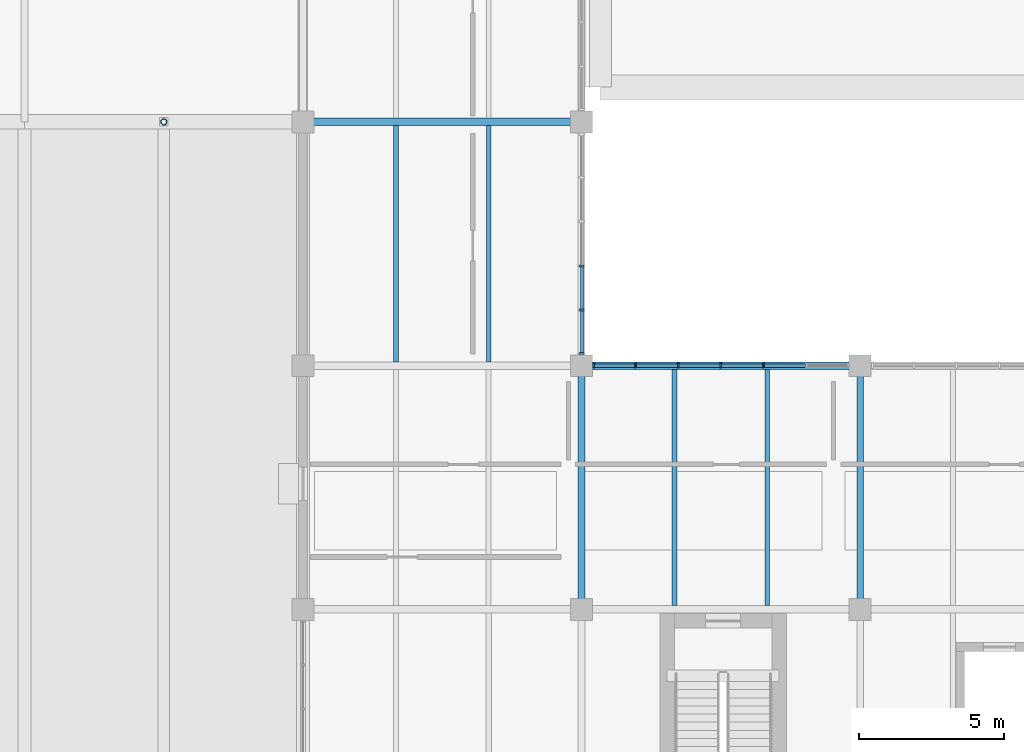
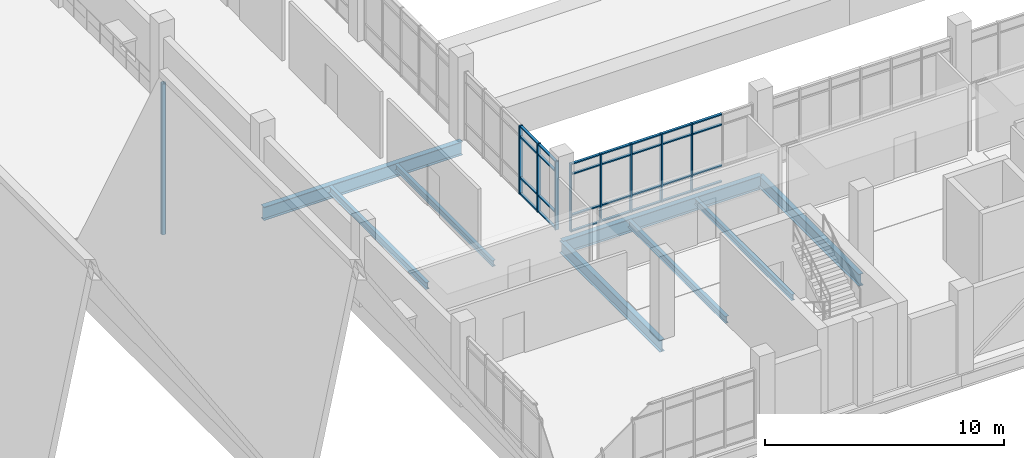
# One storey, part 17 of 86: 37 members, 8 beams, 3 elements without a shape of their own.
"""IFC4 building model written with IfcOpenShell, lengths in metres."""

from ifc_helpers import new_model, si_unit, direction, frame, origin, origin_2d, place, context, subcontext, project, spatial, rectangle, hollow_circle, i_section, extrude, material, material_profile, profile_set, type_object, element, aggregate, save


model = new_model("IFC4")

# Units and contexts
model_context = context("Model", 3, precision=1e-05, world=origin(), true_north=direction((0.0, 1.0)))
body_context = subcontext(model_context, "Body", "Model", "MODEL_VIEW")
ifc_project = project(units=[si_unit("LENGTHUNIT", "METRE"), si_unit("AREAUNIT", "SQUARE_METRE"), si_unit("VOLUMEUNIT", "CUBIC_METRE"), si_unit("PLANEANGLEUNIT", "RADIAN"), si_unit("MASSUNIT", "GRAM", prefix="KILO")], contexts=[model_context])

# Site, building, storey
site_placement = place(None, origin())
site = spatial("IfcSite", under=ifc_project, at=site_placement, CompositionType="ELEMENT")
building_placement = place(site_placement, origin())
building = spatial("IfcBuilding", under=site, at=building_placement, Name="Oolite Switchyard Hospital", CompositionType="ELEMENT")
storey_placement = place(building_placement, frame((0.0, 0.0, 13.5)))
storey = spatial("IfcBuildingStorey", under=building, at=storey_placement, Name="L03", CompositionType="ELEMENT", Elevation=13.5)

# Beams
ifc_material_1 = material(Name="Steel ASTM A992 Grade 50", Category="steel")
ifc_material_profile_1 = material_profile(ifc_material_1, i_section(OverallWidth=0.1650390625, OverallDepth=0.31005859375, WebThickness=0.006103515625, FlangeThickness=0.010009765625, at=origin_2d()), Name="W12X26")
ifc_profile_set_1 = profile_set([ifc_material_profile_1], Name="Steel ASTM A992 Grade 50")
beam_type_1 = type_object("IfcBeamType", Name="BM-W12X26", PredefinedType="JOIST", material=ifc_profile_set_1)
for number, where, z_axis, x_axis, name in (
    (1, (140.800048828125, 25.326904296875, -0.429931640625), (0.0, 1.0, 0.0), (-1.0, 0.0, 0.0), "L03 Secondary Steel Joist 2593"),
    (2, (150.39990234375, 16.927001953125, -0.429931640625), (0.0, 1.0, 0.0), (-1.0, 0.0, 0.0), "L03 Secondary Steel Joist 2619"),
):
    element("IfcBeam", number, at=place(storey_placement, frame(where, z_axis=z_axis, x_axis=x_axis)), inside=storey, type_object=beam_type_1, Name=name, PredefinedType="JOIST", context=body_context, shape_type="SweptSolid", body=[
        extrude(i_section(OverallWidth=0.1650390625, OverallDepth=0.31005859375, WebThickness=0.006103515625, FlangeThickness=0.010009765625, at=origin_2d()), origin(), (0.0, 0.0, 1.0), 8.14599609375),
    ])
ifc_material_profile_2 = material_profile(ifc_material_1, i_section(OverallWidth=0.1708984375, OverallDepth=0.35107421875, WebThickness=0.007080078125, FlangeThickness=0.010009765625, at=origin_2d()), Name="W14X30")
ifc_profile_set_2 = profile_set([ifc_material_profile_2], Name="Steel ASTM A992 Grade 50")
beam_type_2 = type_object("IfcBeamType", Name="BM-W14X30", PredefinedType="JOIST", material=ifc_profile_set_2)
for number, where, z_axis, x_axis, name in (
    (3, (137.60009765625, 25.326904296875, -0.449951171875), (0.0, 1.0, 0.0), (-1.0, 0.0, 0.0), "L03 Secondary Steel Joist 2592"),
    (4, (147.199951171875, 16.927001953125, -0.449951171875), (0.0, 1.0, 0.0), (-1.0, 0.0, 0.0), "L03 Secondary Steel Joist 2618"),
):
    element("IfcBeam", number, at=place(storey_placement, frame(where, z_axis=z_axis, x_axis=x_axis)), inside=storey, type_object=beam_type_2, Name=name, PredefinedType="JOIST", context=body_context, shape_type="SweptSolid", body=[
        extrude(i_section(OverallWidth=0.1708984375, OverallDepth=0.35107421875, WebThickness=0.007080078125, FlangeThickness=0.010009765625, at=origin_2d()), origin(), (0.0, 0.0, 1.0), 8.14599609375),
    ])
ifc_material_profile_3 = material_profile(ifc_material_1, i_section(OverallWidth=0.22900390625, OverallDepth=0.612060546875, WebThickness=0.011962890625, FlangeThickness=0.02001953125, at=origin_2d()), Name="W24X84")
ifc_profile_set_3 = profile_set([ifc_material_profile_3], Name="Steel ASTM A992 Grade 50")
beam_type_3 = type_object("IfcBeamType", Name="BM-W24X84", PredefinedType="BEAM", material=ifc_profile_set_3)
for number, where, z_axis, x_axis, name in (
    (5, (144.0, 16.800048828125, -0.5810546875), (0.0, 1.0, 0.0), (-1.0, 0.0, 0.0), "L03 Y-Girder 2296"),
    (6, (153.60009765625, 16.800048828125, -0.5810546875), (0.0, 1.0, 0.0), (-1.0, 0.0, 0.0), "L03 Y-Girder 2313"),
):
    element("IfcBeam", number, at=place(storey_placement, frame(where, z_axis=z_axis, x_axis=x_axis)), inside=storey, type_object=beam_type_3, Name=name, PredefinedType="BEAM", context=body_context, shape_type="SweptSolid", body=[
        extrude(i_section(OverallWidth=0.22900390625, OverallDepth=0.612060546875, WebThickness=0.011962890625, FlangeThickness=0.02001953125, at=origin_2d()), origin(), (0.0, 0.0, 1.0), 8.39990234375),
    ])
ifc_material_profile_4 = material_profile(ifc_material_1, i_section(OverallWidth=0.25390625, OverallDepth=0.68408203125, WebThickness=0.011962890625, FlangeThickness=0.01904296875, at=origin_2d()), Name="W27X94")
ifc_profile_set_4 = profile_set([ifc_material_profile_4], Name="Steel ASTM A992 Grade 50")
beam_type_4 = type_object("IfcBeamType", Name="BM-W27X94", PredefinedType="BEAM", material=ifc_profile_set_4)
for number, where, z_axis, x_axis, name in (
    (7, (144.0, 25.199951171875, -0.616943359375), (1.0, 0.0, 0.0), (0.0, 1.0, 0.0), "L03 X-Girder 1942"),
    (8, (134.39990234375, 33.60009765625, -0.616943359375), (1.0, 0.0, 0.0), (0.0, 1.0, 0.0), "L03 X-Girder 1955"),
):
    element("IfcBeam", number, at=place(storey_placement, frame(where, z_axis=z_axis, x_axis=x_axis)), inside=storey, type_object=beam_type_4, Name=name, PredefinedType="BEAM", context=body_context, shape_type="SweptSolid", body=[
        extrude(i_section(OverallWidth=0.25390625, OverallDepth=0.68408203125, WebThickness=0.011962890625, FlangeThickness=0.01904296875, at=origin_2d()), origin(), (0.0, 0.0, 1.0), 9.60009765625),
    ])

# Curtain wall, members
ifc_material_2 = material(Name="Thermally broken aluminum frame with laminated impact glazing", Category="aluminium")
curtain_wall_type_1 = type_object("IfcCurtainWallType", Name="CW-UNIT-96X43", PredefinedType="USERDEFINED", material=ifc_material_2)
curtain_wall_1_placement = place(storey_placement, origin())
curtain_wall_1 = element("IfcCurtainWall", 9, at=curtain_wall_1_placement, inside=storey, type_object=curtain_wall_type_1, Name="L03 Unitised Curtain Wall 330", ObjectType="UNITISED", PredefinedType="USERDEFINED")
ifc_material_3 = material(Name="Aluminium 6063-T6", Category="aluminium")
ifc_material_profile_5 = material_profile(ifc_material_3, rectangle(XDim=0.159912109375, YDim=0.06005859375, at=origin_2d()), Name="CWM60X160")
ifc_profile_set_5 = profile_set([ifc_material_profile_5], Name="Aluminium 6063-T6")
member_type_1 = type_object("IfcMemberType", Name="CW-MUL-180", PredefinedType="MULLION", material=ifc_profile_set_5)
member_1_placement = place(storey_placement, frame((144.419921875, 25.199951171875, 0.0), z_axis=(0.0, 0.0, 1.0), x_axis=(0.0, 1.0, 0.0)))
member_1 = element("IfcMember", 10, at=member_1_placement, type_object=member_type_1, Name="CW-04 mullion 1", PredefinedType="MULLION", context=body_context, shape_type="SweptSolid", body=[
    extrude(rectangle(XDim=0.159912109375, YDim=0.06005859375, at=origin_2d()), origin(), (0.0, 0.0, 1.0), 3.489990234375),
])
member_2_placement = place(storey_placement, frame((145.860107421875, 25.199951171875, 0.0), z_axis=(0.0, 0.0, 1.0), x_axis=(0.0, 1.0, 0.0)))
member_2 = element("IfcMember", 11, at=member_2_placement, type_object=member_type_1, Name="CW-04 mullion 2", PredefinedType="MULLION", context=body_context, shape_type="SweptSolid", body=[
    extrude(rectangle(XDim=0.159912109375, YDim=0.06005859375, at=origin_2d()), origin(), (0.0, 0.0, 1.0), 3.489990234375),
])
member_3_placement = place(storey_placement, frame((147.330078125, 25.199951171875, 0.0), z_axis=(0.0, 0.0, 1.0), x_axis=(0.0, 1.0, 0.0)))
member_3 = element("IfcMember", 12, at=member_3_placement, type_object=member_type_1, Name="CW-04 mullion 3", PredefinedType="MULLION", context=body_context, shape_type="SweptSolid", body=[
    extrude(rectangle(XDim=0.159912109375, YDim=0.06005859375, at=origin_2d()), origin(), (0.0, 0.0, 1.0), 3.489990234375),
])
member_4_placement = place(storey_placement, frame((148.800048828125, 25.199951171875, 0.0), z_axis=(0.0, 0.0, 1.0), x_axis=(0.0, 1.0, 0.0)))
member_4 = element("IfcMember", 13, at=member_4_placement, type_object=member_type_1, Name="CW-04 mullion 4", PredefinedType="MULLION", context=body_context, shape_type="SweptSolid", body=[
    extrude(rectangle(XDim=0.159912109375, YDim=0.06005859375, at=origin_2d()), origin(), (0.0, 0.0, 1.0), 3.489990234375),
])
member_5_placement = place(storey_placement, frame((150.27001953125, 25.199951171875, 0.0), z_axis=(0.0, 0.0, 1.0), x_axis=(0.0, 1.0, 0.0)))
member_5 = element("IfcMember", 14, at=member_5_placement, type_object=member_type_1, Name="CW-04 mullion 5", PredefinedType="MULLION", context=body_context, shape_type="SweptSolid", body=[
    extrude(rectangle(XDim=0.159912109375, YDim=0.06005859375, at=origin_2d()), origin(), (0.0, 0.0, 1.0), 3.489990234375),
])

curtain_wall_type_2 = type_object("IfcCurtainWallType", Name="CW-UNIT-84X43", PredefinedType="USERDEFINED", material=ifc_material_2)
curtain_wall_2_placement = place(storey_placement, origin())
curtain_wall_2 = element("IfcCurtainWall", 15, at=curtain_wall_2_placement, inside=storey, type_object=curtain_wall_type_2, Name="L03 Unitised Curtain Wall 340", ObjectType="UNITISED", PredefinedType="USERDEFINED")
ifc_material_profile_6 = material_profile(ifc_material_3, rectangle(XDim=0.179931640625, YDim=0.070068359375, at=origin_2d()), Name="CWM70X180")
ifc_profile_set_6 = profile_set([ifc_material_profile_6], Name="Aluminium 6063-T6")
member_type_2 = type_object("IfcMemberType", Name="CW-MUL-220", PredefinedType="MULLION", material=ifc_profile_set_6)
member_6_placement = place(storey_placement, frame((144.0, 28.637939453125, 0.0), z_axis=(0.0, 0.0, 1.0), x_axis=(1.0, 0.0, 0.0)))
member_6 = element("IfcMember", 16, at=member_6_placement, type_object=member_type_2, Name="CW-09 mullion 4", PredefinedType="MULLION", context=body_context, shape_type="SweptSolid", body=[
    extrude(rectangle(XDim=0.179931640625, YDim=0.070068359375, at=origin_2d()), origin(), (0.0, 0.0, 1.0), 3.489990234375),
])
member_7_placement = place(storey_placement, frame((144.0, 27.114013671875, 0.0), z_axis=(0.0, 0.0, 1.0), x_axis=(1.0, 0.0, 0.0)))
member_7 = element("IfcMember", 17, at=member_7_placement, type_object=member_type_2, Name="CW-09 mullion 5", PredefinedType="MULLION", context=body_context, shape_type="SweptSolid", body=[
    extrude(rectangle(XDim=0.179931640625, YDim=0.070068359375, at=origin_2d()), origin(), (0.0, 0.0, 1.0), 3.489990234375),
])
member_8_placement = place(storey_placement, frame((144.0, 25.625, 0.0), z_axis=(0.0, 0.0, 1.0), x_axis=(1.0, 0.0, 0.0)))
member_8 = element("IfcMember", 18, at=member_8_placement, type_object=member_type_2, Name="CW-09 mullion 6", PredefinedType="MULLION", context=body_context, shape_type="SweptSolid", body=[
    extrude(rectangle(XDim=0.179931640625, YDim=0.070068359375, at=origin_2d()), origin(), (0.0, 0.0, 1.0), 3.489990234375),
])

# Member
ifc_material_profile_7 = material_profile(ifc_material_3, rectangle(XDim=0.1201171875, YDim=0.06005859375, at=origin_2d()), Name="CWT60X120")
ifc_profile_set_7 = profile_set([ifc_material_profile_7], Name="Aluminium 6063-T6")
member_type_3 = type_object("IfcMemberType", Name="CW-TRN-150", PredefinedType="USERDEFINED", material=ifc_profile_set_7)
member_9_placement = place(storey_placement, frame((144.449951171875, 25.199951171875, 0.030029296875), z_axis=(1.0, 0.0, 0.0), x_axis=(0.0, 1.0, 0.0)))
member_9 = element("IfcMember", 19, at=member_9_placement, type_object=member_type_3, Name="CW-04 transom 1.1", ObjectType="TRANSOM", PredefinedType="USERDEFINED", context=body_context, shape_type="SweptSolid", body=[
    extrude(rectangle(XDim=0.1201171875, YDim=0.06005859375, at=origin_2d()), origin(), (0.0, 0.0, 1.0), 1.380126953125),
])

member_10_placement = place(storey_placement, frame((144.449951171875, 25.199951171875, 0.85009765625), z_axis=(1.0, 0.0, 0.0), x_axis=(0.0, 1.0, 0.0)))
member_10 = element("IfcMember", 20, at=member_10_placement, type_object=member_type_3, Name="CW-04 transom 1.2", ObjectType="TRANSOM", PredefinedType="USERDEFINED", context=body_context, shape_type="SweptSolid", body=[
    extrude(rectangle(XDim=0.1201171875, YDim=0.06005859375, at=origin_2d()), origin(), (0.0, 0.0, 1.0), 1.380126953125),
])

member_11_placement = place(storey_placement, frame((144.449951171875, 25.199951171875, 2.93994140625), z_axis=(1.0, 0.0, 0.0), x_axis=(0.0, 1.0, 0.0)))
member_11 = element("IfcMember", 21, at=member_11_placement, type_object=member_type_3, Name="CW-04 transom 1.3", ObjectType="TRANSOM", PredefinedType="USERDEFINED", context=body_context, shape_type="SweptSolid", body=[
    extrude(rectangle(XDim=0.1201171875, YDim=0.06005859375, at=origin_2d()), origin(), (0.0, 0.0, 1.0), 1.380126953125),
])

member_12_placement = place(storey_placement, frame((144.449951171875, 25.199951171875, 3.4599609375), z_axis=(1.0, 0.0, 0.0), x_axis=(0.0, 1.0, 0.0)))
member_12 = element("IfcMember", 22, at=member_12_placement, type_object=member_type_3, Name="CW-04 transom 1.4", ObjectType="TRANSOM", PredefinedType="USERDEFINED", context=body_context, shape_type="SweptSolid", body=[
    extrude(rectangle(XDim=0.1201171875, YDim=0.06005859375, at=origin_2d()), origin(), (0.0, 0.0, 1.0), 1.380126953125),
])

member_13_placement = place(storey_placement, frame((145.889892578125, 25.199951171875, 0.030029296875), z_axis=(1.0, 0.0, 0.0), x_axis=(0.0, 1.0, 0.0)))
member_13 = element("IfcMember", 23, at=member_13_placement, type_object=member_type_3, Name="CW-04 transom 2.1", ObjectType="TRANSOM", PredefinedType="USERDEFINED", context=body_context, shape_type="SweptSolid", body=[
    extrude(rectangle(XDim=0.1201171875, YDim=0.06005859375, at=origin_2d()), origin(), (0.0, 0.0, 1.0), 1.41015625),
])

member_14_placement = place(storey_placement, frame((145.889892578125, 25.199951171875, 0.85009765625), z_axis=(1.0, 0.0, 0.0), x_axis=(0.0, 1.0, 0.0)))
member_14 = element("IfcMember", 24, at=member_14_placement, type_object=member_type_3, Name="CW-04 transom 2.2", ObjectType="TRANSOM", PredefinedType="USERDEFINED", context=body_context, shape_type="SweptSolid", body=[
    extrude(rectangle(XDim=0.1201171875, YDim=0.06005859375, at=origin_2d()), origin(), (0.0, 0.0, 1.0), 1.41015625),
])

member_15_placement = place(storey_placement, frame((145.889892578125, 25.199951171875, 2.93994140625), z_axis=(1.0, 0.0, 0.0), x_axis=(0.0, 1.0, 0.0)))
member_15 = element("IfcMember", 25, at=member_15_placement, type_object=member_type_3, Name="CW-04 transom 2.3", ObjectType="TRANSOM", PredefinedType="USERDEFINED", context=body_context, shape_type="SweptSolid", body=[
    extrude(rectangle(XDim=0.1201171875, YDim=0.06005859375, at=origin_2d()), origin(), (0.0, 0.0, 1.0), 1.41015625),
])

member_16_placement = place(storey_placement, frame((145.889892578125, 25.199951171875, 3.4599609375), z_axis=(1.0, 0.0, 0.0), x_axis=(0.0, 1.0, 0.0)))
member_16 = element("IfcMember", 26, at=member_16_placement, type_object=member_type_3, Name="CW-04 transom 2.4", ObjectType="TRANSOM", PredefinedType="USERDEFINED", context=body_context, shape_type="SweptSolid", body=[
    extrude(rectangle(XDim=0.1201171875, YDim=0.06005859375, at=origin_2d()), origin(), (0.0, 0.0, 1.0), 1.41015625),
])

member_17_placement = place(storey_placement, frame((147.360107421875, 25.199951171875, 0.030029296875), z_axis=(1.0, 0.0, 0.0), x_axis=(0.0, 1.0, 0.0)))
member_17 = element("IfcMember", 27, at=member_17_placement, type_object=member_type_3, Name="CW-04 transom 3.1", ObjectType="TRANSOM", PredefinedType="USERDEFINED", context=body_context, shape_type="SweptSolid", body=[
    extrude(rectangle(XDim=0.1201171875, YDim=0.06005859375, at=origin_2d()), origin(), (0.0, 0.0, 1.0), 1.409912109375),
])

member_18_placement = place(storey_placement, frame((147.360107421875, 25.199951171875, 0.85009765625), z_axis=(1.0, 0.0, 0.0), x_axis=(0.0, 1.0, 0.0)))
member_18 = element("IfcMember", 28, at=member_18_placement, type_object=member_type_3, Name="CW-04 transom 3.2", ObjectType="TRANSOM", PredefinedType="USERDEFINED", context=body_context, shape_type="SweptSolid", body=[
    extrude(rectangle(XDim=0.1201171875, YDim=0.06005859375, at=origin_2d()), origin(), (0.0, 0.0, 1.0), 1.409912109375),
])

member_19_placement = place(storey_placement, frame((147.360107421875, 25.199951171875, 2.93994140625), z_axis=(1.0, 0.0, 0.0), x_axis=(0.0, 1.0, 0.0)))
member_19 = element("IfcMember", 29, at=member_19_placement, type_object=member_type_3, Name="CW-04 transom 3.3", ObjectType="TRANSOM", PredefinedType="USERDEFINED", context=body_context, shape_type="SweptSolid", body=[
    extrude(rectangle(XDim=0.1201171875, YDim=0.06005859375, at=origin_2d()), origin(), (0.0, 0.0, 1.0), 1.409912109375),
])

member_20_placement = place(storey_placement, frame((147.360107421875, 25.199951171875, 3.4599609375), z_axis=(1.0, 0.0, 0.0), x_axis=(0.0, 1.0, 0.0)))
member_20 = element("IfcMember", 30, at=member_20_placement, type_object=member_type_3, Name="CW-04 transom 3.4", ObjectType="TRANSOM", PredefinedType="USERDEFINED", context=body_context, shape_type="SweptSolid", body=[
    extrude(rectangle(XDim=0.1201171875, YDim=0.06005859375, at=origin_2d()), origin(), (0.0, 0.0, 1.0), 1.409912109375),
])

member_21_placement = place(storey_placement, frame((148.830078125, 25.199951171875, 0.030029296875), z_axis=(1.0, 0.0, 0.0), x_axis=(0.0, 1.0, 0.0)))
member_21 = element("IfcMember", 31, at=member_21_placement, type_object=member_type_3, Name="CW-04 transom 4.1", ObjectType="TRANSOM", PredefinedType="USERDEFINED", context=body_context, shape_type="SweptSolid", body=[
    extrude(rectangle(XDim=0.1201171875, YDim=0.06005859375, at=origin_2d()), origin(), (0.0, 0.0, 1.0), 1.409912109375),
])

member_22_placement = place(storey_placement, frame((148.830078125, 25.199951171875, 0.85009765625), z_axis=(1.0, 0.0, 0.0), x_axis=(0.0, 1.0, 0.0)))
member_22 = element("IfcMember", 32, at=member_22_placement, type_object=member_type_3, Name="CW-04 transom 4.2", ObjectType="TRANSOM", PredefinedType="USERDEFINED", context=body_context, shape_type="SweptSolid", body=[
    extrude(rectangle(XDim=0.1201171875, YDim=0.06005859375, at=origin_2d()), origin(), (0.0, 0.0, 1.0), 1.409912109375),
])

member_23_placement = place(storey_placement, frame((148.830078125, 25.199951171875, 2.93994140625), z_axis=(1.0, 0.0, 0.0), x_axis=(0.0, 1.0, 0.0)))
member_23 = element("IfcMember", 33, at=member_23_placement, type_object=member_type_3, Name="CW-04 transom 4.3", ObjectType="TRANSOM", PredefinedType="USERDEFINED", context=body_context, shape_type="SweptSolid", body=[
    extrude(rectangle(XDim=0.1201171875, YDim=0.06005859375, at=origin_2d()), origin(), (0.0, 0.0, 1.0), 1.409912109375),
])

member_24_placement = place(storey_placement, frame((148.830078125, 25.199951171875, 3.4599609375), z_axis=(1.0, 0.0, 0.0), x_axis=(0.0, 1.0, 0.0)))
member_24 = element("IfcMember", 34, at=member_24_placement, type_object=member_type_3, Name="CW-04 transom 4.4", ObjectType="TRANSOM", PredefinedType="USERDEFINED", context=body_context, shape_type="SweptSolid", body=[
    extrude(rectangle(XDim=0.1201171875, YDim=0.06005859375, at=origin_2d()), origin(), (0.0, 0.0, 1.0), 1.409912109375),
])

member_25_placement = place(storey_placement, frame((150.300048828125, 25.199951171875, 0.030029296875), z_axis=(1.0, 0.0, 0.0), x_axis=(0.0, 1.0, 0.0)))
member_25 = element("IfcMember", 35, at=member_25_placement, type_object=member_type_3, Name="CW-04 transom 5.1", ObjectType="TRANSOM", PredefinedType="USERDEFINED", context=body_context, shape_type="SweptSolid", body=[
    extrude(rectangle(XDim=0.1201171875, YDim=0.06005859375, at=origin_2d()), origin(), (0.0, 0.0, 1.0), 1.409912109375),
])

member_26_placement = place(storey_placement, frame((150.300048828125, 25.199951171875, 0.85009765625), z_axis=(1.0, 0.0, 0.0), x_axis=(0.0, 1.0, 0.0)))
member_26 = element("IfcMember", 36, at=member_26_placement, type_object=member_type_3, Name="CW-04 transom 5.2", ObjectType="TRANSOM", PredefinedType="USERDEFINED", context=body_context, shape_type="SweptSolid", body=[
    extrude(rectangle(XDim=0.1201171875, YDim=0.06005859375, at=origin_2d()), origin(), (0.0, 0.0, 1.0), 1.409912109375),
])

member_27_placement = place(storey_placement, frame((150.300048828125, 25.199951171875, 2.93994140625), z_axis=(1.0, 0.0, 0.0), x_axis=(0.0, 1.0, 0.0)))
member_27 = element("IfcMember", 37, at=member_27_placement, type_object=member_type_3, Name="CW-04 transom 5.3", ObjectType="TRANSOM", PredefinedType="USERDEFINED", context=body_context, shape_type="SweptSolid", body=[
    extrude(rectangle(XDim=0.1201171875, YDim=0.06005859375, at=origin_2d()), origin(), (0.0, 0.0, 1.0), 1.409912109375),
])

member_28_placement = place(storey_placement, frame((150.300048828125, 25.199951171875, 3.4599609375), z_axis=(1.0, 0.0, 0.0), x_axis=(0.0, 1.0, 0.0)))
member_28 = element("IfcMember", 38, at=member_28_placement, type_object=member_type_3, Name="CW-04 transom 5.4", ObjectType="TRANSOM", PredefinedType="USERDEFINED", context=body_context, shape_type="SweptSolid", body=[
    extrude(rectangle(XDim=0.1201171875, YDim=0.06005859375, at=origin_2d()), origin(), (0.0, 0.0, 1.0), 1.409912109375),
])

aggregate(curtain_wall_1, [member_1, member_2, member_3, member_4, member_5, member_9, member_10, member_11, member_12, member_13, member_14, member_15, member_16, member_17, member_18, member_19, member_20, member_21, member_22, member_23, member_24, member_25, member_26, member_27, member_28])

member_29_placement = place(storey_placement, frame((144.0, 28.60302734375, 0.030029296875), z_axis=(0.0, -1.0, 0.0), x_axis=(1.0, 0.0, 0.0)))
member_29 = element("IfcMember", 39, at=member_29_placement, type_object=member_type_3, Name="CW-09 transom 4.1", ObjectType="TRANSOM", PredefinedType="USERDEFINED", context=body_context, shape_type="SweptSolid", body=[
    extrude(rectangle(XDim=0.1201171875, YDim=0.06005859375, at=origin_2d()), origin(), (0.0, 0.0, 1.0), 1.4541015625),
])

member_30_placement = place(storey_placement, frame((144.0, 28.60302734375, 0.85009765625), z_axis=(0.0, -1.0, 0.0), x_axis=(1.0, 0.0, 0.0)))
member_30 = element("IfcMember", 40, at=member_30_placement, type_object=member_type_3, Name="CW-09 transom 4.2", ObjectType="TRANSOM", PredefinedType="USERDEFINED", context=body_context, shape_type="SweptSolid", body=[
    extrude(rectangle(XDim=0.1201171875, YDim=0.06005859375, at=origin_2d()), origin(), (0.0, 0.0, 1.0), 1.4541015625),
])

member_31_placement = place(storey_placement, frame((144.0, 28.60302734375, 2.93994140625), z_axis=(0.0, -1.0, 0.0), x_axis=(1.0, 0.0, 0.0)))
member_31 = element("IfcMember", 41, at=member_31_placement, type_object=member_type_3, Name="CW-09 transom 4.3", ObjectType="TRANSOM", PredefinedType="USERDEFINED", context=body_context, shape_type="SweptSolid", body=[
    extrude(rectangle(XDim=0.1201171875, YDim=0.06005859375, at=origin_2d()), origin(), (0.0, 0.0, 1.0), 1.4541015625),
])

member_32_placement = place(storey_placement, frame((144.0, 28.60302734375, 3.4599609375), z_axis=(0.0, -1.0, 0.0), x_axis=(1.0, 0.0, 0.0)))
member_32 = element("IfcMember", 42, at=member_32_placement, type_object=member_type_3, Name="CW-09 transom 4.4", ObjectType="TRANSOM", PredefinedType="USERDEFINED", context=body_context, shape_type="SweptSolid", body=[
    extrude(rectangle(XDim=0.1201171875, YDim=0.06005859375, at=origin_2d()), origin(), (0.0, 0.0, 1.0), 1.4541015625),
])

member_33_placement = place(storey_placement, frame((144.0, 27.0791015625, 0.030029296875), z_axis=(0.0, -1.0, 0.0), x_axis=(1.0, 0.0, 0.0)))
member_33 = element("IfcMember", 43, at=member_33_placement, type_object=member_type_3, Name="CW-09 transom 5.1", ObjectType="TRANSOM", PredefinedType="USERDEFINED", context=body_context, shape_type="SweptSolid", body=[
    extrude(rectangle(XDim=0.1201171875, YDim=0.06005859375, at=origin_2d()), origin(), (0.0, 0.0, 1.0), 1.419189453125),
])

member_34_placement = place(storey_placement, frame((144.0, 27.0791015625, 0.85009765625), z_axis=(0.0, -1.0, 0.0), x_axis=(1.0, 0.0, 0.0)))
member_34 = element("IfcMember", 44, at=member_34_placement, type_object=member_type_3, Name="CW-09 transom 5.2", ObjectType="TRANSOM", PredefinedType="USERDEFINED", context=body_context, shape_type="SweptSolid", body=[
    extrude(rectangle(XDim=0.1201171875, YDim=0.06005859375, at=origin_2d()), origin(), (0.0, 0.0, 1.0), 1.419189453125),
])

member_35_placement = place(storey_placement, frame((144.0, 27.0791015625, 2.93994140625), z_axis=(0.0, -1.0, 0.0), x_axis=(1.0, 0.0, 0.0)))
member_35 = element("IfcMember", 45, at=member_35_placement, type_object=member_type_3, Name="CW-09 transom 5.3", ObjectType="TRANSOM", PredefinedType="USERDEFINED", context=body_context, shape_type="SweptSolid", body=[
    extrude(rectangle(XDim=0.1201171875, YDim=0.06005859375, at=origin_2d()), origin(), (0.0, 0.0, 1.0), 1.419189453125),
])

member_36_placement = place(storey_placement, frame((144.0, 27.0791015625, 3.4599609375), z_axis=(0.0, -1.0, 0.0), x_axis=(1.0, 0.0, 0.0)))
member_36 = element("IfcMember", 46, at=member_36_placement, type_object=member_type_3, Name="CW-09 transom 5.4", ObjectType="TRANSOM", PredefinedType="USERDEFINED", context=body_context, shape_type="SweptSolid", body=[
    extrude(rectangle(XDim=0.1201171875, YDim=0.06005859375, at=origin_2d()), origin(), (0.0, 0.0, 1.0), 1.419189453125),
])

aggregate(curtain_wall_2, [member_6, member_7, member_8, member_29, member_30, member_31, member_32, member_33, member_34, member_35, member_36])

# Roof, member
ifc_material_4 = material(Name="Concrete C40/50", Category="concrete")
roof_type = type_object("IfcRoofType", Name="ROOF-FOLDED", PredefinedType="FREEFORM", material=ifc_material_4)
roof_placement = place(storey_placement, origin())
roof = element("IfcRoof", 47, at=roof_placement, inside=storey, type_object=roof_type, Name="L03 Main Arrival Hall Folded-Plate Roof", PredefinedType="FREEFORM")
ifc_material_5 = material(Name="Steel ASTM A500 Grade C", Category="steel")
ifc_material_profile_8 = material_profile(ifc_material_5, hollow_circle(Radius=0.109619140625, WallThickness=0.012939453125, at=origin_2d()), Name="HSS219X13")
ifc_profile_set_8 = profile_set([ifc_material_profile_8], Name="Steel ASTM A500 Grade C")
member_type_4 = type_object("IfcMemberType", Name="MEM-ST-CHS219", PredefinedType="STRUT", material=ifc_profile_set_8)
member_37_placement = place(storey_placement, frame((129.60009765625, 33.60009765625, 0.0), z_axis=(0.0, 0.0, 1.0), x_axis=(1.0, 0.0, 0.0)))
member_37 = element("IfcMember", 48, at=member_37_placement, type_object=member_type_4, Name="Main Hall Gable King-Post Strut N7", PredefinedType="STRUT", context=body_context, shape_type="SweptSolid", body=[
    extrude(hollow_circle(Radius=0.109619140625, WallThickness=0.012939453125, at=origin_2d()), origin(), (0.0, 0.0, 1.0), 7.699951171875),
])
aggregate(roof, [member_37])

save(model, "model.ifc")
